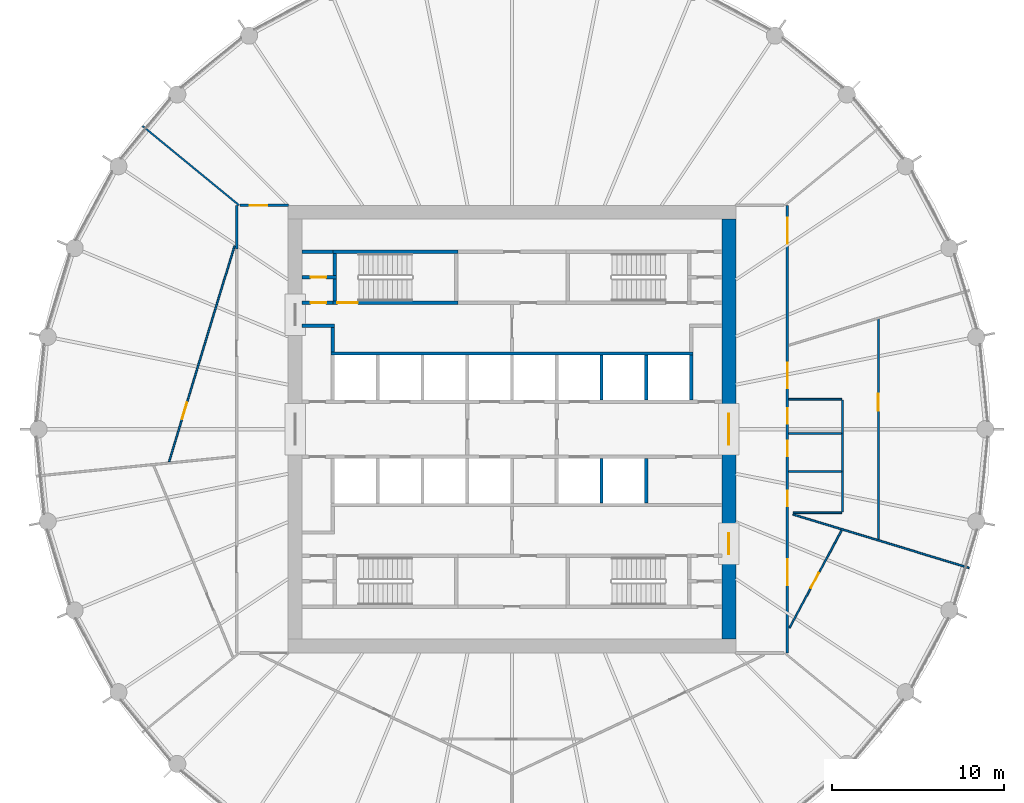
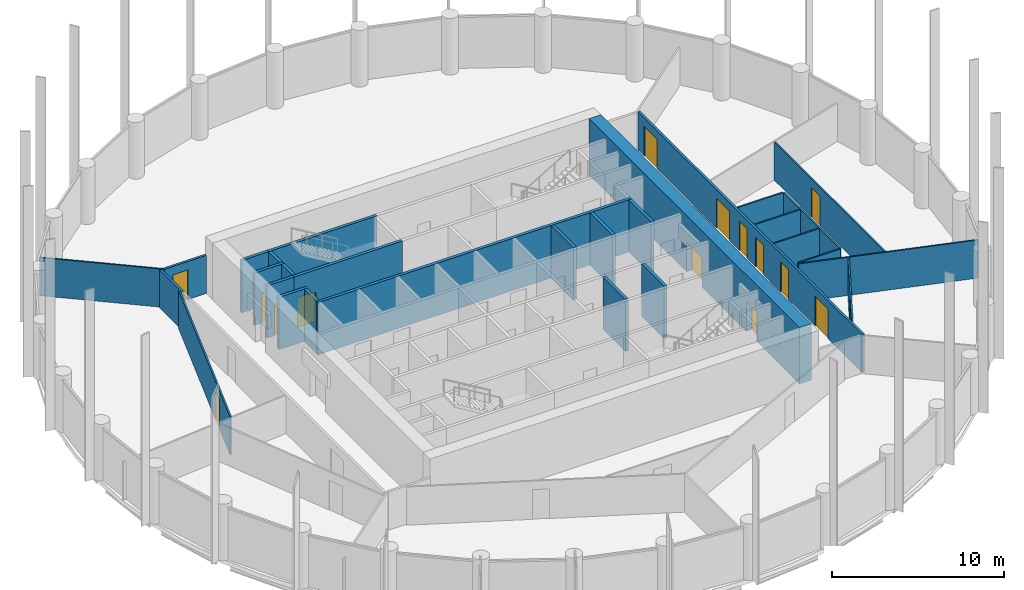
# One storey, part 6 of 8: 29 walls, 15 doors, 15 openings.
"""IFC4 building model written with IfcOpenShell, lengths in metres."""

from ifc_helpers import new_model, si_unit, direction, frame, frame_2d, origin, place, context, subcontext, project, spatial, polyline, rectangle, outline, extrude, material, layer, layer_set, type_object, element, fill, save


model = new_model("IFC4")

# Units and contexts
model_context = context("Model", 3, precision=1e-05, world=origin(), true_north=direction((0.0, 1.0)))
body_context = subcontext(model_context, "Body", "Model", "MODEL_VIEW")
ifc_project = project(units=[si_unit("LENGTHUNIT", "METRE"), si_unit("AREAUNIT", "SQUARE_METRE"), si_unit("VOLUMEUNIT", "CUBIC_METRE"), si_unit("PLANEANGLEUNIT", "RADIAN"), si_unit("MASSUNIT", "GRAM", prefix="KILO")], contexts=[model_context])

# Site, building, storey
site_placement = place(None, origin())
site = spatial("IfcSite", under=ifc_project, at=site_placement, CompositionType="ELEMENT")
building_placement = place(site_placement, origin())
building = spatial("IfcBuilding", under=site, at=building_placement, Name="Corvane Civic Tower", CompositionType="ELEMENT")
storey_placement = place(building_placement, frame((0.0, 0.0, 249.5)))
storey = spatial("IfcBuildingStorey", under=building, at=storey_placement, Name="L59", CompositionType="ELEMENT", Elevation=249.5)

# Wall, openings, doors
ifc_material_1 = material(Name="Concrete C50/60", Category="concrete")
ifc_layer_1 = layer(ifc_material_1, 0.800048828125)
ifc_layer_set_1 = layer_set([ifc_layer_1], Name="Concrete C50/60")
wall_type_1 = type_object("IfcWallType", Name="CORE WALL 800 C50/60", PredefinedType="SHEAR", material=ifc_layer_set_1)
wall_1_placement = place(storey_placement, frame((12.60009765625, -12.199951171875, 0.0), z_axis=(0.0, 0.0, 1.0), x_axis=(0.0, 1.0, 0.0)))
wall_1 = element("IfcWall", 1, at=wall_1_placement, inside=storey, type_object=wall_type_1, Name="W-L59-core-E", PredefinedType="SHEAR", context=body_context, shape_type="SweptSolid", body=[
    extrude(rectangle(XDim=24.39990234375, YDim=0.800048828125, at=frame_2d((12.199951171875, 0.0))), origin(), (0.0, 0.0, 1.0), 4.0),
])
opening_1_placement = place(wall_1_placement, frame((11.300048828125, 0.0, 0.0)))
opening_1 = element("IfcOpeningElement", 2, at=opening_1_placement, cuts=wall_1, Name="Opening L59.C29", PredefinedType="OPENING", context=body_context, shape_type="SweptSolid", body=[
    extrude(rectangle(XDim=1.800048828125, YDim=2.10009765625, at=frame_2d((0.89990234375, 1.050048828125))), frame((0.0, 0.409912109375, 0.0), z_axis=(0.0, -1.0, 0.0), x_axis=(1.0, 0.0, 0.0)), (0.0, 0.0, 1.0), 0.820068359375),
])
opening_2_placement = place(wall_1_placement, frame((4.949951171875, 0.0, 0.0)))
opening_2 = element("IfcOpeningElement", 3, at=opening_2_placement, cuts=wall_1, Name="Opening L59.C31", PredefinedType="OPENING", context=body_context, shape_type="SweptSolid", body=[
    extrude(rectangle(XDim=1.199951171875, YDim=2.10009765625, at=frame_2d((0.60009765625, 1.050048828125))), frame((0.0, 0.409912109375, 0.0), z_axis=(0.0, -1.0, 0.0), x_axis=(1.0, 0.0, 0.0)), (0.0, 0.0, 1.0), 0.820068359375),
])
ifc_material_2 = material(Name="Steel fire door leaf", Category="steel")
door_type_1 = type_object("IfcDoorType", Name="CR-DOOR-CORE-1800", OperationType="DOUBLE_DOOR_SINGLE_SWING", PredefinedType="DOOR", material=ifc_material_2)
door_1_placement = place(opening_1_placement, origin())
door_1 = element("IfcDoor", 4, at=door_1_placement, inside=storey, type_object=door_type_1, Name="L59 door", OperationType="DOUBLE_DOOR_SINGLE_SWING", OverallHeight=2.10009765625, OverallWidth=1.800048828125, PredefinedType="DOOR", context=body_context, shape_type="SweptSolid", body=[
    extrude(rectangle(XDim=1.800048828125, YDim=2.10009765625, at=frame_2d((0.89990234375, 1.050048828125))), frame((0.0, 0.02490234375, 0.0), z_axis=(0.0, -1.0, 0.0), x_axis=(1.0, 0.0, 0.0)), (0.0, 0.0, 1.0), 0.050048828125),
])
fill(opening_1, door_1)
door_2_placement = place(opening_2_placement, origin())
door_2 = element("IfcDoor", 5, at=door_2_placement, inside=storey, type_object=door_type_1, Name="L59 door", OperationType="DOUBLE_DOOR_SINGLE_SWING", OverallHeight=2.10009765625, OverallWidth=1.199951171875, PredefinedType="DOOR", context=body_context, shape_type="SweptSolid", body=[
    extrude(rectangle(XDim=1.199951171875, YDim=2.10009765625, at=frame_2d((0.60009765625, 1.050048828125))), frame((0.0, 0.02490234375, 0.0), z_axis=(0.0, -1.0, 0.0), x_axis=(1.0, 0.0, 0.0)), (0.0, 0.0, 1.0), 0.050048828125),
])
fill(opening_2, door_2)

# Wall, opening, door
ifc_material_3 = material(Name="Concrete C30/37", Category="concrete")
ifc_layer_2 = layer(ifc_material_3, 0.199951171875)
ifc_layer_set_2 = layer_set([ifc_layer_2], Name="Concrete C30/37")
wall_type_2 = type_object("IfcWallType", Name="CR-WALL-200", PredefinedType="PARTITIONING", material=ifc_layer_set_2)
wall_2_placement = place(storey_placement, frame((-12.199951171875, 7.35009765625, 0.0), z_axis=(0.0, 0.0, 1.0), x_axis=(1.0, 0.0, 0.0)))
wall_2 = element("IfcWall", 6, at=wall_2_placement, inside=storey, type_object=wall_type_2, Name="L59 core partition wall", PredefinedType="PARTITIONING", context=body_context, shape_type="SweptSolid", body=[
    extrude(rectangle(XDim=1.800048828125, YDim=0.199951171875, at=frame_2d((0.89990234375, 0.0))), origin(), (0.0, 0.0, 1.0), 3.699951171875),
])
opening_3_placement = place(wall_2_placement, frame((0.5, 0.0, 0.0)))
opening_3 = element("IfcOpeningElement", 7, at=opening_3_placement, cuts=wall_2, Name="Opening L59.C10", PredefinedType="OPENING", context=body_context, shape_type="SweptSolid", body=[
    extrude(rectangle(XDim=0.89990234375, YDim=2.10009765625, at=frame_2d((0.449951171875, 1.050048828125))), frame((0.0, 0.10986328125, 0.0), z_axis=(0.0, -1.0, 0.0), x_axis=(1.0, 0.0, 0.0)), (0.0, 0.0, 1.0), 0.219970703125),
])
ifc_material_4 = material(Name="Steel fire door leaf", Category="steel")
door_type_2 = type_object("IfcDoorType", Name="CR-DOOR-900", OperationType="SINGLE_SWING_LEFT", PredefinedType="DOOR", material=ifc_material_4)
door_3_placement = place(opening_3_placement, origin())
door_3 = element("IfcDoor", 8, at=door_3_placement, inside=storey, type_object=door_type_2, Name="L59 door", OperationType="SINGLE_SWING_LEFT", OverallHeight=2.10009765625, OverallWidth=0.89990234375, PredefinedType="DOOR", context=body_context, shape_type="SweptSolid", body=[
    extrude(rectangle(XDim=0.89990234375, YDim=2.10009765625, at=frame_2d((0.449951171875, 1.050048828125))), frame((0.0, 0.02490234375, 0.0), z_axis=(0.0, -1.0, 0.0), x_axis=(1.0, 0.0, 0.0)), (0.0, 0.0, 1.0), 0.050048828125),
])
fill(opening_3, door_3)

wall_3_placement = place(storey_placement, frame((-12.199951171875, 8.824951171875, 0.0), z_axis=(0.0, 0.0, 1.0), x_axis=(1.0, 0.0, 0.0)))
wall_3 = element("IfcWall", 9, at=wall_3_placement, inside=storey, type_object=wall_type_2, Name="L59 partition wall", PredefinedType="PARTITIONING", context=body_context, shape_type="SweptSolid", body=[
    extrude(rectangle(XDim=2.0, YDim=0.199951171875, at=frame_2d((1.0, 0.0))), origin(), (0.0, 0.0, 1.0), 3.699951171875),
])
opening_4_placement = place(wall_3_placement, frame((0.5, 0.0, 0.0)))
opening_4 = element("IfcOpeningElement", 10, at=opening_4_placement, cuts=wall_3, Name="Opening L59.C11", PredefinedType="OPENING", context=body_context, shape_type="SweptSolid", body=[
    extrude(rectangle(XDim=0.89990234375, YDim=2.10009765625, at=frame_2d((0.449951171875, 1.050048828125))), frame((0.0, 0.10986328125, 0.0), z_axis=(0.0, -1.0, 0.0), x_axis=(1.0, 0.0, 0.0)), (0.0, 0.0, 1.0), 0.219970703125),
])
door_4_placement = place(opening_4_placement, origin())
door_4 = element("IfcDoor", 11, at=door_4_placement, inside=storey, type_object=door_type_2, Name="L59 door", OperationType="SINGLE_SWING_LEFT", OverallHeight=2.10009765625, OverallWidth=0.89990234375, PredefinedType="DOOR", context=body_context, shape_type="SweptSolid", body=[
    extrude(rectangle(XDim=0.89990234375, YDim=2.10009765625, at=frame_2d((0.449951171875, 1.050048828125))), frame((0.0, 0.02490234375, 0.0), z_axis=(0.0, -1.0, 0.0), x_axis=(1.0, 0.0, 0.0)), (0.0, 0.0, 1.0), 0.050048828125),
])
fill(opening_4, door_4)

# Walls
wall_4_placement = place(storey_placement, origin())
element("IfcWall", 12, at=wall_4_placement, inside=storey, type_object=wall_type_2, Name="L59 core partition wall", PredefinedType="PARTITIONING", context=body_context, shape_type="SweptSolid", body=[
    extrude(outline(polyline([(5.300048828125, -1.699951171875), (5.300048828125, -4.2998046875), (5.10009765625, -4.2998046875), (5.10009765625, -1.699951171875), (5.300048828125, -1.699951171875)])), origin(), (0.0, 0.0, 1.0), 3.699951171875),
])
wall_5_placement = place(storey_placement, origin())
element("IfcWall", 13, at=wall_5_placement, inside=storey, type_object=wall_type_2, Name="L59 core partition wall", PredefinedType="PARTITIONING", context=body_context, shape_type="SweptSolid", body=[
    extrude(outline(polyline([(7.89990234375, -1.699951171875), (7.89990234375, -4.2998046875), (7.699951171875, -4.2998046875), (7.699951171875, -1.699951171875), (7.89990234375, -1.699951171875)])), origin(), (0.0, 0.0, 1.0), 3.699951171875),
])
wall_6_placement = place(storey_placement, origin())
element("IfcWall", 14, at=wall_6_placement, inside=storey, type_object=wall_type_2, Name="L59 core partition wall", PredefinedType="PARTITIONING", context=body_context, shape_type="SweptSolid", body=[
    extrude(outline(polyline([(10.5, 4.5), (10.5, 4.300048828125), (-10.5, 4.300048828125), (-10.5, 4.5), (10.5, 4.5)])), origin(), (0.0, 0.0, 1.0), 3.699951171875),
])
wall_7_placement = place(storey_placement, origin())
element("IfcWall", 15, at=wall_7_placement, inside=storey, type_object=wall_type_2, Name="L59 core partition wall", PredefinedType="PARTITIONING", context=body_context, shape_type="SweptSolid", body=[
    extrude(outline(polyline([(5.300048828125, 1.699951171875), (5.10009765625, 1.699951171875), (5.10009765625, 4.2998046875), (5.300048828125, 4.2998046875), (5.300048828125, 1.699951171875)])), origin(), (0.0, 0.0, 1.0), 3.699951171875),
])
wall_8_placement = place(storey_placement, origin())
element("IfcWall", 16, at=wall_8_placement, inside=storey, type_object=wall_type_2, Name="L59 core partition wall", PredefinedType="PARTITIONING", context=body_context, shape_type="SweptSolid", body=[
    extrude(outline(polyline([(7.89990234375, 1.699951171875), (7.699951171875, 1.699951171875), (7.699951171875, 4.2998046875), (7.89990234375, 4.2998046875), (7.89990234375, 1.699951171875)])), origin(), (0.0, 0.0, 1.0), 3.699951171875),
])
wall_9_placement = place(storey_placement, origin())
element("IfcWall", 17, at=wall_9_placement, inside=storey, type_object=wall_type_2, Name="L59 core partition wall", PredefinedType="PARTITIONING", context=body_context, shape_type="SweptSolid", body=[
    extrude(outline(polyline([(10.5, 1.699951171875), (10.300048828125, 1.699951171875), (10.300048828125, 4.2998046875), (10.5, 4.2998046875), (10.5, 1.699951171875)])), origin(), (0.0, 0.0, 1.0), 3.699951171875),
])
wall_10_placement = place(storey_placement, origin())
element("IfcWall", 18, at=wall_10_placement, inside=storey, type_object=wall_type_2, Name="L59 core partition wall", PredefinedType="PARTITIONING", context=body_context, shape_type="SweptSolid", body=[
    extrude(outline(polyline([(-10.300048828125, 5.89990234375), (-12.199951171875, 5.89990234375), (-12.199951171875, 6.10009765625), (-10.300048828125, 6.10009765625), (-10.300048828125, 5.89990234375)])), origin(), (0.0, 0.0, 1.0), 3.699951171875),
])
wall_11_placement = place(storey_placement, origin())
element("IfcWall", 19, at=wall_11_placement, inside=storey, type_object=wall_type_2, Name="L59 core partition wall", PredefinedType="PARTITIONING", context=body_context, shape_type="SweptSolid", body=[
    extrude(outline(polyline([(-10.300048828125, 4.5), (-10.5, 4.5), (-10.5, 5.89990234375), (-10.300048828125, 5.89990234375), (-10.300048828125, 4.5)])), origin(), (0.0, 0.0, 1.0), 3.699951171875),
])
wall_12_placement = place(storey_placement, origin())
element("IfcWall", 20, at=wall_12_placement, inside=storey, type_object=wall_type_2, Name="L59 core partition wall", PredefinedType="PARTITIONING", context=body_context, shape_type="SweptSolid", body=[
    extrude(outline(polyline([(-12.199951171875, 10.199951171875), (-12.199951171875, 10.39990234375), (-10.39990234375, 10.39990234375), (-10.39990234375, 10.199951171875), (-12.199951171875, 10.199951171875)])), origin(), (0.0, 0.0, 1.0), 3.699951171875),
])

# Wall, opening, door
ifc_material_5 = material(Name="Plasterboard")
ifc_layer_3 = layer(ifc_material_5, 0.10009765625)
ifc_layer_set_3 = layer_set([ifc_layer_3], Name="Plasterboard")
wall_type_3 = type_object("IfcWallType", Name="Partition 100 plasterboard on studs", PredefinedType="PARTITIONING", material=ifc_layer_set_3)
wall_13_placement = place(storey_placement, frame((16.119140625, -11.540283203125, 0.0), z_axis=(0.0, 0.0, 1.0), x_axis=(0.471415980273, 0.881910978242, 0.0)))
wall_13 = element("IfcWall", 21, at=wall_13_placement, inside=storey, type_object=wall_type_3, Name="Partition L59.012", PredefinedType="PARTITIONING", context=body_context, shape_type="SweptSolid", body=[
    extrude(rectangle(XDim=6.427978515625, YDim=0.10009765625, at=frame_2d((3.2138671875, 0.0))), origin(), (0.0, 0.0, 1.0), 2.699951171875),
])
opening_5_placement = place(wall_13_placement, frame((2.6181640625, 0.0, 0.0)))
opening_5 = element("IfcOpeningElement", 22, at=opening_5_placement, cuts=wall_13, Name="Opening L59.012", PredefinedType="OPENING", context=body_context, shape_type="SweptSolid", body=[
    extrude(rectangle(XDim=1.0, YDim=2.10009765625, at=frame_2d((0.5, 1.050048828125))), frame((0.0, 0.06005859375, 0.0), z_axis=(0.0, -1.0, 0.0), x_axis=(1.0, 0.0, 0.0)), (0.0, 0.0, 1.0), 0.1201171875),
])
ifc_material_6 = material(Name="Timber", Category="wood")
door_type_3 = type_object("IfcDoorType", Name="Single door 1000", OperationType="NOTDEFINED", PredefinedType="DOOR", material=ifc_material_6)
door_5_placement = place(opening_5_placement, frame((1.0, 0.0, 0.0), z_axis=(0.0, 0.0, 1.0), x_axis=(-1.0, 0.0, 0.0)))
door_5 = element("IfcDoor", 23, at=door_5_placement, inside=storey, type_object=door_type_3, Name="Door L59.012", OperationType="SINGLE_SWING_RIGHT", OverallHeight=2.10009765625, OverallWidth=1.0, PredefinedType="DOOR", context=body_context, shape_type="SweptSolid", body=[
    extrude(rectangle(XDim=1.0, YDim=2.10009765625, at=frame_2d((0.5, 1.050048828125))), frame((0.0, 0.02490234375, 0.0), z_axis=(0.0, -1.0, 0.0), x_axis=(1.0, 0.0, 0.0)), (0.0, 0.0, 1.0), 0.050048828125),
])
fill(opening_5, door_5)

# Wall
wall_14_placement = place(storey_placement, frame((16.322509765625, -4.951416015625, 0.0), z_axis=(0.0, 0.0, 1.0), x_axis=(0.95694333486, -0.290274790271, 0.0)))
element("IfcWall", 24, at=wall_14_placement, inside=storey, type_object=wall_type_3, Name="Partition L59.013", PredefinedType="PARTITIONING", context=body_context, shape_type="SweptSolid", body=[
    extrude(rectangle(XDim=10.693359375, YDim=0.10009765625, at=frame_2d((5.3466796875, 0.0))), origin(), (0.0, 0.0, 1.0), 2.699951171875),
])

# Wall, opening, door
wall_15_placement = place(storey_placement, frame((21.285888671875, -6.3896484375, 0.0), z_axis=(0.0, 0.0, 1.0), x_axis=(0.0, 1.0, 0.0)))
wall_15 = element("IfcWall", 25, at=wall_15_placement, inside=storey, type_object=wall_type_3, Name="Partition L59.014", PredefinedType="PARTITIONING", context=body_context, shape_type="SweptSolid", body=[
    extrude(rectangle(XDim=12.779296875, YDim=0.10009765625, at=frame_2d((6.3896484375, 0.0))), origin(), (0.0, 0.0, 1.0), 2.699951171875),
])
opening_6_placement = place(wall_15_placement, frame((7.450927734375, 0.0, 0.0)))
opening_6 = element("IfcOpeningElement", 26, at=opening_6_placement, cuts=wall_15, Name="Opening L59.007", PredefinedType="OPENING", context=body_context, shape_type="SweptSolid", body=[
    extrude(rectangle(XDim=1.0, YDim=2.10009765625, at=frame_2d((0.5, 1.050048828125))), frame((0.0, 0.06005859375, 0.0), z_axis=(0.0, -1.0, 0.0), x_axis=(1.0, 0.0, 0.0)), (0.0, 0.0, 1.0), 0.1201171875),
])
door_6_placement = place(opening_6_placement, frame((1.0, 0.0, 0.0), z_axis=(0.0, 0.0, 1.0), x_axis=(-1.0, 0.0, 0.0)))
door_6 = element("IfcDoor", 27, at=door_6_placement, inside=storey, type_object=door_type_3, Name="Door L59.007", OperationType="SINGLE_SWING_LEFT", OverallHeight=2.10009765625, OverallWidth=1.0, PredefinedType="DOOR", context=body_context, shape_type="SweptSolid", body=[
    extrude(rectangle(XDim=1.0, YDim=2.10009765625, at=frame_2d((0.5, 1.050048828125))), frame((0.0, 0.02490234375, 0.0), z_axis=(0.0, -1.0, 0.0), x_axis=(1.0, 0.0, 0.0)), (0.0, 0.0, 1.0), 0.050048828125),
])
fill(opening_6, door_6)

# Walls
wall_16_placement = place(storey_placement, frame((16.337158203125, -4.853515625, 0.0), z_axis=(0.0, 0.0, 1.0), x_axis=(1.0, 0.0, 0.0)))
element("IfcWall", 28, at=wall_16_placement, inside=storey, type_object=wall_type_3, Name="Partition L59.015", PredefinedType="PARTITIONING", context=body_context, shape_type="SweptSolid", body=[
    extrude(rectangle(XDim=2.812744140625, YDim=0.10009765625, at=frame_2d((1.40625, 0.0))), origin(), (0.0, 0.0, 1.0), 2.699951171875),
])
wall_17_placement = place(storey_placement, frame((19.199951171875, -4.803466796875, 0.0), z_axis=(0.0, 0.0, 1.0), x_axis=(0.0, 1.0, 0.0)))
element("IfcWall", 29, at=wall_17_placement, inside=storey, type_object=wall_type_3, Name="Partition L59.016", PredefinedType="PARTITIONING", context=body_context, shape_type="SweptSolid", body=[
    extrude(rectangle(XDim=6.5, YDim=0.10009765625, at=frame_2d((3.25, 0.0))), origin(), (0.0, 0.0, 1.0), 2.699951171875),
])
wall_18_placement = place(storey_placement, frame((16.074951171875, -2.45361328125, 0.0), z_axis=(0.0, 0.0, 1.0), x_axis=(1.0, 0.0, 0.0)))
element("IfcWall", 30, at=wall_18_placement, inside=storey, type_object=wall_type_3, Name="Partition L59.018", PredefinedType="PARTITIONING", context=body_context, shape_type="SweptSolid", body=[
    extrude(rectangle(XDim=3.074951171875, YDim=0.10009765625, at=frame_2d((1.53759765625, 0.0))), origin(), (0.0, 0.0, 1.0), 2.699951171875),
])

# Wall, opening, door
wall_19_placement = place(storey_placement, frame((-19.922607421875, -1.892578125, 0.0), z_axis=(0.0, 0.0, 1.0), x_axis=(0.290282810355, 0.956940902048, 0.0)))
wall_19 = element("IfcWall", 31, at=wall_19_placement, inside=storey, type_object=wall_type_3, Name="Partition L59.019", PredefinedType="PARTITIONING", context=body_context, shape_type="SweptSolid", body=[
    extrude(rectangle(XDim=13.11279296875, YDim=0.10009765625, at=frame_2d((6.556396484375, 0.0))), origin(), (0.0, 0.0, 1.0), 2.699951171875),
])
opening_7_placement = place(wall_19_placement, frame((2.59619140625, 0.0, 0.0)))
opening_7 = element("IfcOpeningElement", 32, at=opening_7_placement, cuts=wall_19, Name="Opening L59.016", PredefinedType="OPENING", context=body_context, shape_type="SweptSolid", body=[
    extrude(rectangle(XDim=1.0, YDim=2.10009765625, at=frame_2d((0.5, 1.050048828125))), frame((0.0, 0.06005859375, 0.0), z_axis=(0.0, -1.0, 0.0), x_axis=(1.0, 0.0, 0.0)), (0.0, 0.0, 1.0), 0.1201171875),
])
door_7_placement = place(opening_7_placement, origin())
door_7 = element("IfcDoor", 33, at=door_7_placement, inside=storey, type_object=door_type_3, Name="Door L59.016", OperationType="SINGLE_SWING_LEFT", OverallHeight=2.10009765625, OverallWidth=1.0, PredefinedType="DOOR", context=body_context, shape_type="SweptSolid", body=[
    extrude(rectangle(XDim=1.0, YDim=2.10009765625, at=frame_2d((0.5, 1.050048828125))), frame((0.0, 0.02490234375, 0.0), z_axis=(0.0, -1.0, 0.0), x_axis=(1.0, 0.0, 0.0)), (0.0, 0.0, 1.0), 0.050048828125),
])
fill(opening_7, door_7)

# Walls
for number, where, z_axis, x_axis, name in (
    (34, (16.074951171875, -0.25341796875, 0.0), (0.0, 0.0, 1.0), (1.0, 0.0, 0.0), "Partition L59.020"),
    (35, (16.074951171875, 1.74658203125, 0.0), (0.0, 0.0, 1.0), (1.0, 0.0, 0.0), "Partition L59.021"),
):
    element("IfcWall", number, at=place(storey_placement, frame(where, z_axis=z_axis, x_axis=x_axis)), inside=storey, type_object=wall_type_3, Name=name, PredefinedType="PARTITIONING", context=body_context, shape_type="SweptSolid", body=[
        extrude(rectangle(XDim=3.074951171875, YDim=0.10009765625, at=frame_2d((1.53759765625, 0.0))), origin(), (0.0, 0.0, 1.0), 2.699951171875),
    ])
wall_20_placement = place(storey_placement, frame((-21.451171875, 17.6044921875, 0.0), z_axis=(0.0, 0.0, 1.0), x_axis=(0.772997895748, -0.634408585352, 0.0)))
element("IfcWall", 36, at=wall_20_placement, inside=storey, type_object=wall_type_3, Name="Partition L59.026", PredefinedType="PARTITIONING", context=body_context, shape_type="SweptSolid", body=[
    extrude(rectangle(XDim=7.240234375, YDim=0.10009765625, at=frame_2d((3.6201171875, 0.0))), origin(), (0.0, 0.0, 1.0), 2.699951171875),
])

# Wall, opening, door
ifc_material_7 = material(Name="Concrete C50/60", Category="concrete")
ifc_layer_4 = layer(ifc_material_7, 0.199951171875)
ifc_layer_set_4 = layer_set([ifc_layer_4], Name="Concrete C50/60")
wall_type_4 = type_object("IfcWallType", Name="ST-WALL-200", PredefinedType="SHEAR", material=ifc_layer_set_4)
wall_21_placement = place(storey_placement, frame((-10.39990234375, 7.35009765625, 0.0), z_axis=(0.0, 0.0, 1.0), x_axis=(1.0, 0.0, 0.0)))
wall_21 = element("IfcWall", 37, at=wall_21_placement, inside=storey, type_object=wall_type_4, Name="L59 stair enclosure wall", PredefinedType="SHEAR", context=body_context, shape_type="SweptSolid", body=[
    extrude(rectangle(XDim=7.25, YDim=0.199951171875, at=frame_2d((3.625, 0.0))), origin(), (0.0, 0.0, 1.0), 3.699951171875),
])
opening_8_placement = place(wall_21_placement, frame((0.25, 0.0, 0.0)))
opening_8 = element("IfcOpeningElement", 38, at=opening_8_placement, cuts=wall_21, Name="Opening L59.C21", PredefinedType="OPENING", context=body_context, shape_type="SweptSolid", body=[
    extrude(rectangle(XDim=1.199951171875, YDim=2.10009765625, at=frame_2d((0.60009765625, 1.050048828125))), frame((0.0, 0.10986328125, 0.0), z_axis=(0.0, -1.0, 0.0), x_axis=(1.0, 0.0, 0.0)), (0.0, 0.0, 1.0), 0.219970703125),
])
ifc_material_8 = material(Name="Steel fire door leaf", Category="steel")
door_type_4 = type_object("IfcDoorType", Name="ST-DOOR-1200", OperationType="SINGLE_SWING_RIGHT", PredefinedType="DOOR", material=ifc_material_8)
door_8_placement = place(opening_8_placement, origin())
door_8 = element("IfcDoor", 39, at=door_8_placement, inside=storey, type_object=door_type_4, Name="L59 stair door", OperationType="SINGLE_SWING_RIGHT", OverallHeight=2.10009765625, OverallWidth=1.199951171875, PredefinedType="DOOR", context=body_context, shape_type="SweptSolid", body=[
    extrude(rectangle(XDim=1.199951171875, YDim=2.10009765625, at=frame_2d((0.60009765625, 1.050048828125))), frame((0.0, 0.02490234375, 0.0), z_axis=(0.0, -1.0, 0.0), x_axis=(1.0, 0.0, 0.0)), (0.0, 0.0, 1.0), 0.050048828125),
])
fill(opening_8, door_8)

# Walls
wall_22_placement = place(storey_placement, origin())
element("IfcWall", 40, at=wall_22_placement, inside=storey, type_object=wall_type_4, Name="L59 stair enclosure wall", PredefinedType="SHEAR", context=body_context, shape_type="SweptSolid", body=[
    extrude(outline(polyline([(-3.14990234375, 10.199951171875), (-10.39990234375, 10.199951171875), (-10.39990234375, 10.39990234375), (-3.14990234375, 10.39990234375), (-3.14990234375, 10.199951171875)])), origin(), (0.0, 0.0, 1.0), 3.699951171875),
])
wall_23_placement = place(storey_placement, origin())
element("IfcWall", 41, at=wall_23_placement, inside=storey, type_object=wall_type_4, Name="L59 stair enclosure wall", PredefinedType="SHEAR", context=body_context, shape_type="SweptSolid", body=[
    extrude(outline(polyline([(-10.199951171875, 8.72509765625), (-10.199951171875, 7.449951171875), (-10.39990234375, 7.449951171875), (-10.39990234375, 8.72509765625), (-10.199951171875, 8.72509765625)])), origin(), (0.0, 0.0, 1.0), 3.699951171875),
])
wall_24_placement = place(storey_placement, origin())
element("IfcWall", 42, at=wall_24_placement, inside=storey, type_object=wall_type_4, Name="L59 stair enclosure wall", PredefinedType="SHEAR", context=body_context, shape_type="SweptSolid", body=[
    extrude(outline(polyline([(-10.199951171875, 8.925048828125), (-10.39990234375, 8.925048828125), (-10.39990234375, 10.199951171875), (-10.199951171875, 10.199951171875), (-10.199951171875, 8.925048828125)])), origin(), (0.0, 0.0, 1.0), 3.699951171875),
])

# Wall, openings, doors
ifc_material_9 = material(Name="Plasterboard")
ifc_layer_5 = layer(ifc_material_9, 0.14990234375)
ifc_layer_set_5 = layer_set([ifc_layer_5], Name="Plasterboard")
wall_type_5 = type_object("IfcWallType", Name="Tenancy wall 150 EI 60", PredefinedType="PARTITIONING", material=ifc_layer_set_5)
wall_25_placement = place(storey_placement, frame((16.0, -13.0, 0.0), z_axis=(0.0, 0.0, 1.0), x_axis=(0.0, 1.0, 0.0)))
wall_25 = element("IfcWall", 43, at=wall_25_placement, inside=storey, type_object=wall_type_5, Name="Partition L59.011", PredefinedType="PARTITIONING", context=body_context, shape_type="SweptSolid", body=[
    extrude(rectangle(XDim=26.0, YDim=0.14990234375, at=frame_2d((13.0, 0.0))), origin(), (0.0, 0.0, 1.0), 2.699951171875),
])
opening_9_placement = place(wall_25_placement, frame((23.771484375, 0.0, 0.0)))
opening_9 = element("IfcOpeningElement", 44, at=opening_9_placement, cuts=wall_25, Name="Opening L59.006", PredefinedType="OPENING", context=body_context, shape_type="SweptSolid", body=[
    extrude(rectangle(XDim=1.5, YDim=2.10009765625, at=frame_2d((0.75, 1.050048828125))), frame((0.0, 0.0849609375, 0.0), z_axis=(0.0, -1.0, 0.0), x_axis=(1.0, 0.0, 0.0)), (0.0, 0.0, 1.0), 0.169921875),
])
opening_10_placement = place(wall_25_placement, frame((15.374267578125, 0.0, 0.0)))
opening_10 = element("IfcOpeningElement", 45, at=opening_10_placement, cuts=wall_25, Name="Opening L59.008", PredefinedType="OPENING", context=body_context, shape_type="SweptSolid", body=[
    extrude(rectangle(XDim=1.5, YDim=2.10009765625, at=frame_2d((0.75, 1.050048828125))), frame((0.0, 0.0849609375, 0.0), z_axis=(0.0, -1.0, 0.0), x_axis=(1.0, 0.0, 0.0)), (0.0, 0.0, 1.0), 0.169921875),
])
opening_11_placement = place(wall_25_placement, frame((8.52490234375, 0.0, 0.0)))
opening_11 = element("IfcOpeningElement", 46, at=opening_11_placement, cuts=wall_25, Name="Opening L59.009", PredefinedType="OPENING", context=body_context, shape_type="SweptSolid", body=[
    extrude(rectangle(XDim=0.89990234375, YDim=2.10009765625, at=frame_2d((0.449951171875, 1.050048828125))), frame((0.0, 0.0849609375, 0.0), z_axis=(0.0, -1.0, 0.0), x_axis=(1.0, 0.0, 0.0)), (0.0, 0.0, 1.0), 0.169921875),
])
opening_12_placement = place(wall_25_placement, frame((11.430419921875, 0.0, 0.0)))
opening_12 = element("IfcOpeningElement", 47, at=opening_12_placement, cuts=wall_25, Name="Opening L59.010", PredefinedType="OPENING", context=body_context, shape_type="SweptSolid", body=[
    extrude(rectangle(XDim=0.89990234375, YDim=2.10009765625, at=frame_2d((0.449951171875, 1.050048828125))), frame((0.0, 0.0849609375, 0.0), z_axis=(0.0, -1.0, 0.0), x_axis=(1.0, 0.0, 0.0)), (0.0, 0.0, 1.0), 0.169921875),
])
opening_13_placement = place(wall_25_placement, frame((13.324462890625, 0.0, 0.0)))
opening_13 = element("IfcOpeningElement", 48, at=opening_13_placement, cuts=wall_25, Name="Opening L59.011", PredefinedType="OPENING", context=body_context, shape_type="SweptSolid", body=[
    extrude(rectangle(XDim=0.89990234375, YDim=2.10009765625, at=frame_2d((0.449951171875, 1.050048828125))), frame((0.0, 0.0849609375, 0.0), z_axis=(0.0, -1.0, 0.0), x_axis=(1.0, 0.0, 0.0)), (0.0, 0.0, 1.0), 0.169921875),
])
opening_14_placement = place(wall_25_placement, frame((3.941650390625, 0.0, 0.0)))
opening_14 = element("IfcOpeningElement", 49, at=opening_14_placement, cuts=wall_25, Name="Opening L59.013", PredefinedType="OPENING", context=body_context, shape_type="SweptSolid", body=[
    extrude(rectangle(XDim=1.5, YDim=2.10009765625, at=frame_2d((0.75, 1.050048828125))), frame((0.0, 0.0849609375, 0.0), z_axis=(0.0, -1.0, 0.0), x_axis=(1.0, 0.0, 0.0)), (0.0, 0.0, 1.0), 0.169921875),
])
ifc_material_10 = material(Name="Steel and timber", Category="steel")
door_type_5 = type_object("IfcDoorType", Name="Fire door FD30S 900", OperationType="NOTDEFINED", PredefinedType="DOOR", material=ifc_material_10)
door_9_placement = place(opening_11_placement, frame((0.89990234375, 0.0, 0.0), z_axis=(0.0, 0.0, 1.0), x_axis=(-1.0, 0.0, 0.0)))
door_9 = element("IfcDoor", 50, at=door_9_placement, inside=storey, type_object=door_type_5, Name="Door L59.009", OperationType="SINGLE_SWING_RIGHT", OverallHeight=2.10009765625, OverallWidth=0.89990234375, PredefinedType="DOOR", context=body_context, shape_type="SweptSolid", body=[
    extrude(rectangle(XDim=0.89990234375, YDim=2.10009765625, at=frame_2d((0.449951171875, 1.050048828125))), frame((0.0, 0.02490234375, 0.0), z_axis=(0.0, -1.0, 0.0), x_axis=(1.0, 0.0, 0.0)), (0.0, 0.0, 1.0), 0.050048828125),
])
fill(opening_11, door_9)
door_10_placement = place(opening_12_placement, frame((0.89990234375, 0.0, 0.0), z_axis=(0.0, 0.0, 1.0), x_axis=(-1.0, 0.0, 0.0)))
door_10 = element("IfcDoor", 51, at=door_10_placement, inside=storey, type_object=door_type_5, Name="Door L59.010", OperationType="SINGLE_SWING_LEFT", OverallHeight=2.10009765625, OverallWidth=0.89990234375, PredefinedType="DOOR", context=body_context, shape_type="SweptSolid", body=[
    extrude(rectangle(XDim=0.89990234375, YDim=2.10009765625, at=frame_2d((0.449951171875, 1.050048828125))), frame((0.0, 0.02490234375, 0.0), z_axis=(0.0, -1.0, 0.0), x_axis=(1.0, 0.0, 0.0)), (0.0, 0.0, 1.0), 0.050048828125),
])
fill(opening_12, door_10)
door_11_placement = place(opening_13_placement, frame((0.89990234375, 0.0, 0.0), z_axis=(0.0, 0.0, 1.0), x_axis=(-1.0, 0.0, 0.0)))
door_11 = element("IfcDoor", 52, at=door_11_placement, inside=storey, type_object=door_type_5, Name="Door L59.011", OperationType="SINGLE_SWING_LEFT", OverallHeight=2.10009765625, OverallWidth=0.89990234375, PredefinedType="DOOR", context=body_context, shape_type="SweptSolid", body=[
    extrude(rectangle(XDim=0.89990234375, YDim=2.10009765625, at=frame_2d((0.449951171875, 1.050048828125))), frame((0.0, 0.02490234375, 0.0), z_axis=(0.0, -1.0, 0.0), x_axis=(1.0, 0.0, 0.0)), (0.0, 0.0, 1.0), 0.050048828125),
])
fill(opening_13, door_11)
ifc_material_11 = material(Name="Steel and timber", Category="steel")
door_type_6 = type_object("IfcDoorType", Name="Fire door FD60 double 1500", OperationType="NOTDEFINED", PredefinedType="DOOR", material=ifc_material_11)
door_12_placement = place(opening_9_placement, frame((1.5, 0.0, 0.0), z_axis=(0.0, 0.0, 1.0), x_axis=(-1.0, 0.0, 0.0)))
door_12 = element("IfcDoor", 53, at=door_12_placement, inside=storey, type_object=door_type_6, Name="Door L59.006", OperationType="DOUBLE_DOOR_SINGLE_SWING", OverallHeight=2.10009765625, OverallWidth=1.5, PredefinedType="DOOR", context=body_context, shape_type="SweptSolid", body=[
    extrude(rectangle(XDim=1.5, YDim=2.10009765625, at=frame_2d((0.75, 1.050048828125))), frame((0.0, 0.02490234375, 0.0), z_axis=(0.0, -1.0, 0.0), x_axis=(1.0, 0.0, 0.0)), (0.0, 0.0, 1.0), 0.050048828125),
])
fill(opening_9, door_12)
door_13_placement = place(opening_10_placement, frame((1.5, 0.0, 0.0), z_axis=(0.0, 0.0, 1.0), x_axis=(-1.0, 0.0, 0.0)))
door_13 = element("IfcDoor", 54, at=door_13_placement, inside=storey, type_object=door_type_6, Name="Door L59.008", OperationType="DOUBLE_DOOR_SINGLE_SWING", OverallHeight=2.10009765625, OverallWidth=1.5, PredefinedType="DOOR", context=body_context, shape_type="SweptSolid", body=[
    extrude(rectangle(XDim=1.5, YDim=2.10009765625, at=frame_2d((0.75, 1.050048828125))), frame((0.0, 0.02490234375, 0.0), z_axis=(0.0, -1.0, 0.0), x_axis=(1.0, 0.0, 0.0)), (0.0, 0.0, 1.0), 0.050048828125),
])
fill(opening_10, door_13)
door_14_placement = place(opening_14_placement, frame((1.5, 0.0, 0.0), z_axis=(0.0, 0.0, 1.0), x_axis=(-1.0, 0.0, 0.0)))
door_14 = element("IfcDoor", 55, at=door_14_placement, inside=storey, type_object=door_type_6, Name="Door L59.013", OperationType="DOUBLE_DOOR_SINGLE_SWING", OverallHeight=2.10009765625, OverallWidth=1.5, PredefinedType="DOOR", context=body_context, shape_type="SweptSolid", body=[
    extrude(rectangle(XDim=1.5, YDim=2.10009765625, at=frame_2d((0.75, 1.050048828125))), frame((0.0, 0.02490234375, 0.0), z_axis=(0.0, -1.0, 0.0), x_axis=(1.0, 0.0, 0.0)), (0.0, 0.0, 1.0), 0.050048828125),
])
fill(opening_14, door_14)

# Wall
wall_26_placement = place(storey_placement, frame((-16.0, 10.459716796875, 0.0), z_axis=(0.0, 0.0, 1.0), x_axis=(0.0, 1.0, 0.0)))
element("IfcWall", 56, at=wall_26_placement, inside=storey, type_object=wall_type_5, Name="Partition L59.023", PredefinedType="PARTITIONING", context=body_context, shape_type="SweptSolid", body=[
    extrude(rectangle(XDim=2.540283203125, YDim=0.14990234375, at=frame_2d((1.27001953125, 0.0))), origin(), (0.0, 0.0, 1.0), 2.699951171875),
])

# Wall, opening, door
wall_27_placement = place(storey_placement, frame((-15.813720703125, 13.0, 0.0), z_axis=(0.0, 0.0, 1.0), x_axis=(1.0, 0.0, 0.0)))
wall_27 = element("IfcWall", 57, at=wall_27_placement, inside=storey, type_object=wall_type_5, Name="Partition L59.024", PredefinedType="PARTITIONING", context=body_context, shape_type="SweptSolid", body=[
    extrude(rectangle(XDim=2.82373046875, YDim=0.14990234375, at=frame_2d((1.411865234375, 0.0))), origin(), (0.0, 0.0, 1.0), 2.699951171875),
])
opening_15_placement = place(wall_27_placement, frame((0.589111328125, 0.0, 0.0)))
opening_15 = element("IfcOpeningElement", 58, at=opening_15_placement, cuts=wall_27, Name="Opening L59.001", PredefinedType="OPENING", context=body_context, shape_type="SweptSolid", body=[
    extrude(rectangle(XDim=1.0, YDim=2.10009765625, at=frame_2d((0.5, 1.050048828125))), frame((0.0, 0.0849609375, 0.0), z_axis=(0.0, -1.0, 0.0), x_axis=(1.0, 0.0, 0.0)), (0.0, 0.0, 1.0), 0.169921875),
])
ifc_material_12 = material(Name="Steel and timber", Category="steel")
door_type_7 = type_object("IfcDoorType", Name="Fire door FD30S 1000", OperationType="NOTDEFINED", PredefinedType="DOOR", material=ifc_material_12)
door_15_placement = place(opening_15_placement, origin())
door_15 = element("IfcDoor", 59, at=door_15_placement, inside=storey, type_object=door_type_7, Name="Door L59.001", OperationType="SINGLE_SWING_LEFT", OverallHeight=2.10009765625, OverallWidth=1.0, PredefinedType="DOOR", context=body_context, shape_type="SweptSolid", body=[
    extrude(rectangle(XDim=1.0, YDim=2.10009765625, at=frame_2d((0.5, 1.050048828125))), frame((0.0, 0.02490234375, 0.0), z_axis=(0.0, -1.0, 0.0), x_axis=(1.0, 0.0, 0.0)), (0.0, 0.0, 1.0), 0.050048828125),
])
fill(opening_15, door_15)

save(model, "model.ifc")
